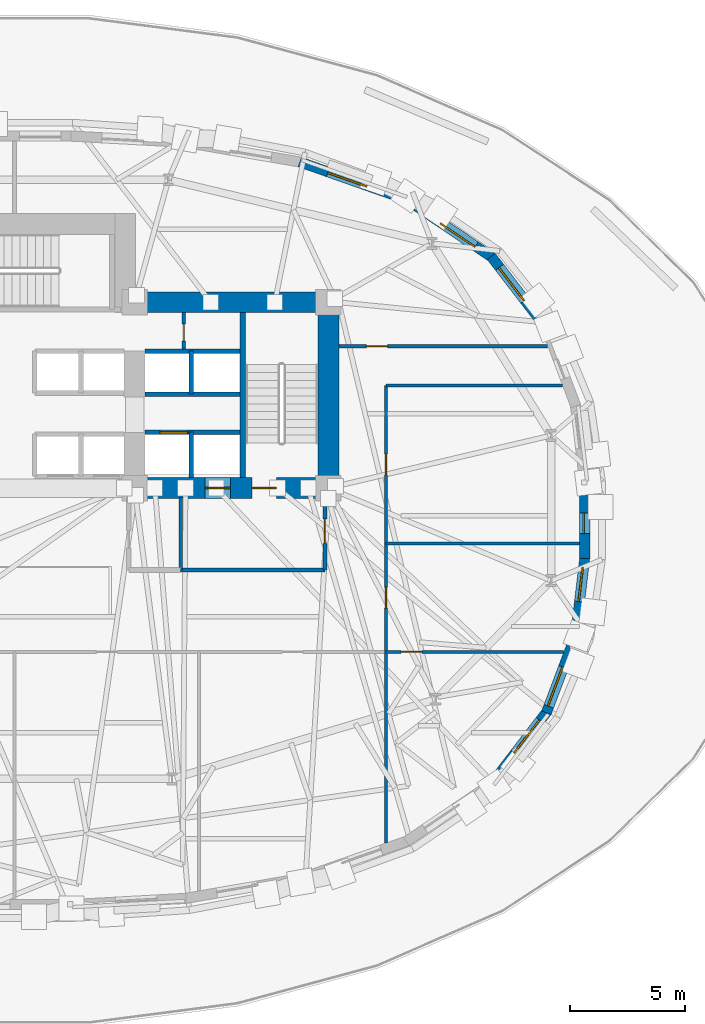
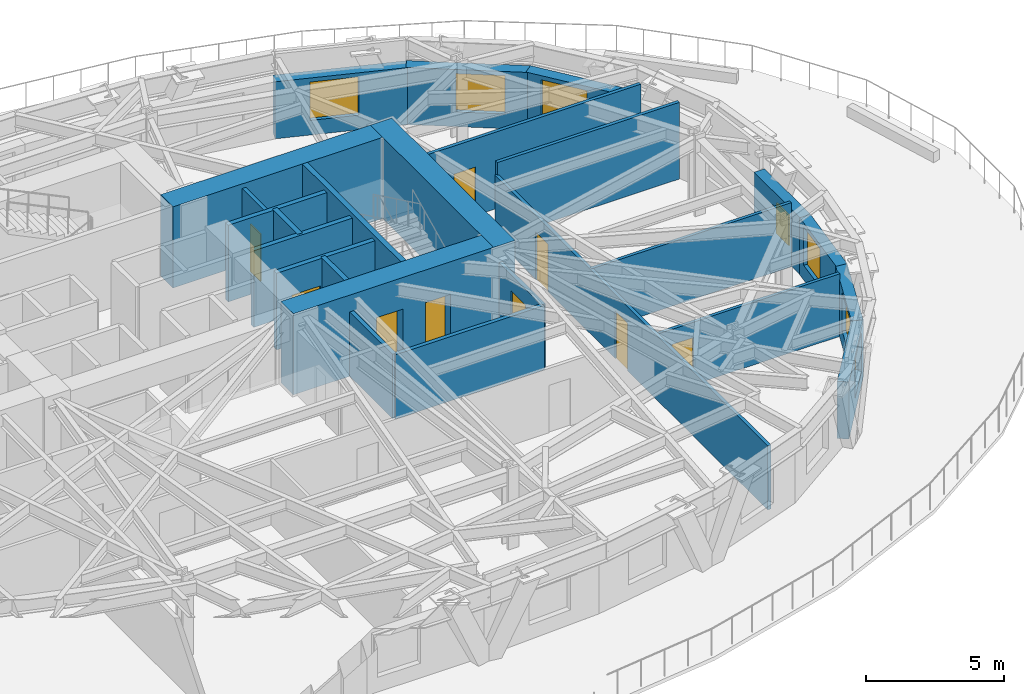
# One storey, part 8 of 14: 25 walls, 9 doors, 7 windows, 16 openings.
"""IFC4 building model written with IfcOpenShell, lengths in metres."""

import ifcopenshell
import ifcopenshell.guid

model = None  # the IFC model being written
_history = None  # IfcOwnerHistory: only IFC2X3 demands one
_inside = {}  # id of a spatial element -> (the spatial element, [elements in it])
_under = {}  # id of a project, library or spatial element -> (it, [spatial elements below it])
_declared = {}  # id of a project -> (the project, [libraries it declares])
_typed = {}  # id of a type object -> (the type object, [elements of that type])
_made_of = {}  # id of a material, layer set ... -> (it, [elements and type objects made of it])


def new_model(schema):
    """Start an empty IFC model of exactly this schema.

    Asked for "IFC4X3", IfcOpenShell would pick the latest addendum, in which some entities
    have other attributes; the version numbers below select the first issue.
    IFC2X3 requires an IfcOwnerHistory on every rooted entity: one is made here for all.
    """
    global model, _history
    if schema == "IFC4X3":
        model = ifcopenshell.file(schema_version=(4, 3, 0, 0))
    else:
        model = ifcopenshell.file(schema=schema)
    _inside.clear()
    _under.clear()
    _declared.clear()
    _typed.clear()
    _made_of.clear()
    _history = None
    if model.schema == "IFC2X3":
        org = make("IfcOrganization", Name="unknown")
        user = make(
            "IfcPersonAndOrganization",
            ThePerson=make("IfcPerson", FamilyName="unknown"),
            TheOrganization=org,
        )
        app = make(
            "IfcApplication",
            ApplicationDeveloper=org,
            Version="unknown",
            ApplicationFullName="unknown",
            ApplicationIdentifier="unknown",
        )
        _history = make(
            "IfcOwnerHistory",
            OwningUser=user,
            OwningApplication=app,
            ChangeAction="ADDED",
            CreationDate=0,
        )
    return model


def make(cls, **values):
    """One entity of the class cls with the attributes given. An attribute that is None is left unset."""
    return model.create_entity(
        cls, **{name: value for name, value in values.items() if value is not None}
    )


def rooted(cls, **values):
    """An entity with a GlobalId (a new one), such as an element, a storey or a relation."""
    return make(cls, GlobalId=ifcopenshell.guid.new(), OwnerHistory=_history, **values)


def si_unit(unit_type, name, prefix=None):
    """IfcSIUnit, for example si_unit("LENGTHUNIT", "METRE", prefix="MILLI")."""
    return make("IfcSIUnit", UnitType=unit_type, Prefix=prefix, Name=name)


def assignment(units):
    """IfcUnitAssignment: the units of a project."""
    return None if units is None else make("IfcUnitAssignment", Units=units)


def point(xyz):
    """IfcCartesianPoint."""
    return None if xyz is None else make("IfcCartesianPoint", Coordinates=xyz)


def direction(xyz):
    """IfcDirection."""
    return None if xyz is None else make("IfcDirection", DirectionRatios=xyz)


def frame(location, z_axis=None, x_axis=None):
    """IfcAxis2Placement3D, a coordinate frame: its origin and axes. An axis left out is left unset."""
    return make(
        "IfcAxis2Placement3D",
        Location=point(location),
        Axis=direction(z_axis),
        RefDirection=direction(x_axis),
    )


def frame_2d(location, x_axis=None):
    """IfcAxis2Placement2D, a coordinate frame in the plane: its origin and x axis."""
    return make(
        "IfcAxis2Placement2D", Location=point(location), RefDirection=direction(x_axis)
    )


def origin():
    """The frame at (0, 0, 0) with its axes left unset."""
    return frame((0.0, 0.0, 0.0))


def place(relative_to, where):
    """IfcLocalPlacement: puts the frame where relative to a parent placement (None: the world)."""
    return make(
        "IfcLocalPlacement", PlacementRelTo=relative_to, RelativePlacement=where
    )


def context(
    kind, dimensions, precision=None, world=None, true_north=None, identifier=None
):
    """IfcGeometricRepresentationContext, for example the 3D "Model" context."""
    return make(
        "IfcGeometricRepresentationContext",
        ContextIdentifier=identifier,
        ContextType=kind,
        CoordinateSpaceDimension=dimensions,
        Precision=precision,
        WorldCoordinateSystem=world,
        TrueNorth=true_north,
    )


def subcontext(parent, identifier, kind, view, scale=None):
    """IfcGeometricRepresentationSubContext, for example "Body" below "Model"."""
    return make(
        "IfcGeometricRepresentationSubContext",
        ContextIdentifier=identifier,
        ContextType=kind,
        ParentContext=parent,
        TargetScale=scale,
        TargetView=view,
    )


def project(units=None, contexts=None):
    """IfcProject with its units and contexts."""
    return rooted(
        "IfcProject",
        Name="project",
        RepresentationContexts=contexts,
        UnitsInContext=assignment(units),
    )


def spatial(cls, under=None, at=None, **own):
    """A site, building, storey or space (cls), placed at a placement, below another one or the project."""
    s = rooted(cls, ObjectPlacement=at, **own)
    if under is not None:
        _under.setdefault(under.id(), (under, []))[1].append(s)
    return s


def profile(cls, at=None, kind="AREA", **sizes):
    """A parametric profile (cls). Its sizes go by their IFC names, for example OverallWidth=200.0."""
    return make(cls, ProfileType=kind, Position=at, **sizes)


def rectangle(**sizes):
    """IfcRectangleProfileDef."""
    return profile("IfcRectangleProfileDef", **sizes)


def extrude(swept, where, along, depth):
    """IfcExtrudedAreaSolid: the profile swept, set in the frame where, extruded along a direction by depth."""
    return make(
        "IfcExtrudedAreaSolid",
        SweptArea=swept,
        Position=where,
        ExtrudedDirection=direction(along),
        Depth=depth,
    )


def shape(context_of_items, identifier, shape_type, items):
    """IfcShapeRepresentation: the items that make up one representation, for example the "Body"."""
    return make(
        "IfcShapeRepresentation",
        ContextOfItems=context_of_items,
        RepresentationIdentifier=identifier,
        RepresentationType=shape_type,
        Items=items,
    )


def material(Name=None, Category=None):
    """IfcMaterial."""
    return make("IfcMaterial", Name=Name, Category=Category)


def layer(
    of_material, thickness, ventilated=None, Name=None, Category=None, Priority=None
):
    """IfcMaterialLayer: one layer of a wall or slab, of a material (None: an air gap)."""
    return make(
        "IfcMaterialLayer",
        Material=of_material,
        LayerThickness=thickness,
        IsVentilated=ventilated,
        Name=Name,
        Category=Category,
        Priority=Priority,
    )


def layer_set(layers, Name=None):
    """IfcMaterialLayerSet."""
    return make("IfcMaterialLayerSet", MaterialLayers=layers, LayerSetName=Name)


def made_of(thing, what):
    """Note that an element or type object is made of a material, layer set ...; save() writes the relation."""
    if what is not None:
        _made_of.setdefault(what.id(), (what, []))[1].append(thing)
    return thing


def type_object(cls, material=None, **own):
    """A type object (cls), such as IfcWallType, which elements share."""
    return made_of(rooted(cls, **own), material)


def element(
    cls,
    number,
    at=None,
    inside=None,
    cuts=None,
    type_object=None,
    material=None,
    context=None,
    identifier="Body",
    shape_type=None,
    held_by="IfcProductDefinitionShape",
    body=None,
    shapes=None,
    **own,
):
    """One element of the class cls, such as IfcWall. Its Tag is "e" and its number.

    at: its placement. inside: the storey or other place that contains it. cuts: it is an
    opening in that element (IfcRelVoidsElement). A single representation is given by context,
    identifier, shape_type and body (its items); several are given by shapes. held_by: the class
    of the entity that holds the representations. save() writes the other relations.
    """
    e = rooted(cls, Tag="e%d" % number, ObjectPlacement=at, **own)
    if body is not None:
        shapes = [shape(context, identifier, shape_type, body)]
    if shapes is not None:
        e.Representation = make(held_by, Representations=shapes)
    if inside is not None:
        _inside.setdefault(inside.id(), (inside, []))[1].append(e)
    if cuts is not None:
        rooted(
            "IfcRelVoidsElement", RelatingBuildingElement=cuts, RelatedOpeningElement=e
        )
    if type_object is not None:
        _typed.setdefault(type_object.id(), (type_object, []))[1].append(e)
    return made_of(e, material)


def fill(opening, filler):
    """IfcRelFillsElement: the door or window that sits in an opening."""
    return rooted(
        "IfcRelFillsElement",
        RelatingOpeningElement=opening,
        RelatedBuildingElement=filler,
    )


def aggregate(whole, parts):
    """IfcRelAggregates: a whole, such as a stair, and the parts it consists of."""
    return rooted("IfcRelAggregates", RelatingObject=whole, RelatedObjects=parts)


def save(model, path):
    """Write the relations noted so far, then the file.

    IfcRelAggregates (storeys below a building ...), IfcRelContainedInSpatialStructure (elements
    in a storey), IfcRelDefinesByType, IfcRelAssociatesMaterial and IfcRelDeclares: one each for
    every whole, place, type object, material and project.
    """
    for whole, parts in _under.values():
        aggregate(whole, parts)
    for where, things in _inside.values():
        rooted(
            "IfcRelContainedInSpatialStructure",
            RelatedElements=things,
            RelatingStructure=where,
        )
    for kind, things in _typed.values():
        rooted("IfcRelDefinesByType", RelatedObjects=things, RelatingType=kind)
    for what, things in _made_of.values():
        rooted("IfcRelAssociatesMaterial", RelatedObjects=things, RelatingMaterial=what)
    for by, libraries in _declared.values():
        rooted("IfcRelDeclares", RelatingContext=by, RelatedDefinitions=libraries)
    model.write(path)


model = new_model("IFC4")

# Units and contexts
model_context = context("Model", 3, precision=1e-05, world=origin(), true_north=direction((0.0, 1.0)))
body_context = subcontext(model_context, "Body", "Model", "MODEL_VIEW")
ifc_project = project(units=[si_unit("LENGTHUNIT", "METRE"), si_unit("AREAUNIT", "SQUARE_METRE"), si_unit("VOLUMEUNIT", "CUBIC_METRE"), si_unit("PLANEANGLEUNIT", "RADIAN"), si_unit("MASSUNIT", "GRAM", prefix="KILO")], contexts=[model_context])

# Site, building, storey
site_placement = place(None, origin())
site = spatial("IfcSite", under=ifc_project, at=site_placement, CompositionType="ELEMENT")
building_placement = place(site_placement, origin())
building = spatial("IfcBuilding", under=site, at=building_placement, Name="Keldmark Tower", CompositionType="ELEMENT")
storey_placement = place(building_placement, frame((0.0, 0.0, 27.0)))
storey = spatial("IfcBuildingStorey", under=building, at=storey_placement, Name="L06", CompositionType="ELEMENT", Elevation=27.0)

# Wall, openings, doors
ifc_material_1 = material(Name="Acoustic Double-Layer Gypsum Corridor Partition", Category="gypsum")
ifc_layer_1 = layer(ifc_material_1, 0.139892578125)
ifc_layer_set_1 = layer_set([ifc_layer_1], Name="Acoustic Double-Layer Gypsum Corridor Partition")
wall_type_1 = type_object("IfcWallType", Name="Acoustic Corridor Partition 140 mm", PredefinedType="PARTITIONING", material=ifc_layer_set_1)
wall_1_placement = place(storey_placement, frame((16.10009765625, -13.977294921875, 0.0), z_axis=(0.0, 0.0, 1.0), x_axis=(0.0, 1.0, 0.0)))
wall_1 = element("IfcWall", 1, at=wall_1_placement, inside=storey, type_object=wall_type_1, Name="L06 Acoustic Corridor Partition 140 mm COR-E", PredefinedType="PARTITIONING", context=body_context, shape_type="SweptSolid", body=[
    extrude(rectangle(XDim=19.827392578125, YDim=0.139892578125, at=frame_2d((9.91357421875, 0.0))), origin(), (0.0, 0.0, 1.0), 2.841064453125),
])
opening_1_placement = place(wall_1_placement, frame((10.177001953125, 0.0, 0.0)))
opening_1 = element("IfcOpeningElement", 2, at=opening_1_placement, cuts=wall_1, Name="Opening D-IN090", PredefinedType="OPENING", context=body_context, shape_type="SweptSolid", body=[
    extrude(rectangle(XDim=0.89990234375, YDim=2.10009765625, at=frame_2d((0.449951171875, 1.050048828125))), frame((0.0, 0.079833984375, 0.0), z_axis=(0.0, -1.0, 0.0), x_axis=(1.0, 0.0, 0.0)), (0.0, 0.0, 1.0), 0.159912109375),
])
opening_2_placement = place(wall_1_placement, frame((15.9521484375, 0.0, 0.0)))
opening_2 = element("IfcOpeningElement", 3, at=opening_2_placement, cuts=wall_1, Name="Opening D-IN090", PredefinedType="OPENING", context=body_context, shape_type="SweptSolid", body=[
    extrude(rectangle(XDim=0.89990234375, YDim=2.10009765625, at=frame_2d((0.449951171875, 1.050048828125))), frame((0.0, 0.079833984375, 0.0), z_axis=(0.0, -1.0, 0.0), x_axis=(1.0, 0.0, 0.0)), (0.0, 0.0, 1.0), 0.159912109375),
])
ifc_material_2 = material(Name="Stained American White Oak Veneer", Category="wood")
door_type_1 = type_object("IfcDoorType", Name="Interior Door 900x2100", OperationType="NOTDEFINED", PredefinedType="DOOR", material=ifc_material_2)
door_1_placement = place(opening_1_placement, origin())
door_1 = element("IfcDoor", 4, at=door_1_placement, inside=storey, type_object=door_type_1, Name="L06 Interior Door 900x2100 D-ER-1-L06", OperationType="SINGLE_SWING_RIGHT", OverallHeight=2.10009765625, OverallWidth=0.89990234375, PredefinedType="DOOR", context=body_context, shape_type="SweptSolid", body=[
    extrude(rectangle(XDim=0.89990234375, YDim=2.10009765625, at=frame_2d((0.449951171875, 1.050048828125))), frame((0.0, 0.02490234375, 0.0), z_axis=(0.0, -1.0, 0.0), x_axis=(1.0, 0.0, 0.0)), (0.0, 0.0, 1.0), 0.050048828125),
])
fill(opening_1, door_1)
door_2_placement = place(opening_2_placement, origin())
door_2 = element("IfcDoor", 5, at=door_2_placement, inside=storey, type_object=door_type_1, Name="L06 Interior Door 900x2100 D-ER-2-L06", OperationType="SINGLE_SWING_LEFT", OverallHeight=2.10009765625, OverallWidth=0.89990234375, PredefinedType="DOOR", context=body_context, shape_type="SweptSolid", body=[
    extrude(rectangle(XDim=0.89990234375, YDim=2.10009765625, at=frame_2d((0.449951171875, 1.050048828125))), frame((0.0, 0.02490234375, 0.0), z_axis=(0.0, -1.0, 0.0), x_axis=(1.0, 0.0, 0.0)), (0.0, 0.0, 1.0), 0.050048828125),
])
fill(opening_2, door_2)

# Wall, opening, door
wall_2_placement = place(storey_placement, frame((14.050048828125, 7.550048828125, 0.0), z_axis=(0.0, 0.0, 1.0), x_axis=(1.0, 0.0, 0.0)))
wall_2 = element("IfcWall", 6, at=wall_2_placement, inside=storey, type_object=wall_type_1, Name="L06 Acoustic Corridor Partition 140 mm COR-EN-CAP", PredefinedType="PARTITIONING", context=body_context, shape_type="SweptSolid", body=[
    extrude(rectangle(XDim=9.052490234375, YDim=0.139892578125, at=frame_2d((4.5263671875, 0.0))), origin(), (0.0, 0.0, 1.0), 3.39990234375),
])
opening_3_placement = place(wall_2_placement, frame((1.199951171875, 0.0, 0.0)))
opening_3 = element("IfcOpeningElement", 7, at=opening_3_placement, cuts=wall_2, Name="Opening D-EX092", PredefinedType="OPENING", context=body_context, shape_type="SweptSolid", body=[
    extrude(rectangle(XDim=0.919921875, YDim=2.14990234375, at=frame_2d((0.4599609375, 1.074951171875))), frame((0.0, 0.079833984375, 0.0), z_axis=(0.0, -1.0, 0.0), x_axis=(1.0, 0.0, 0.0)), (0.0, 0.0, 1.0), 0.159912109375),
])
ifc_material_3 = material(Name="Flush American Ash Executive Office Door", Category="wood")
door_type_2 = type_object("IfcDoorType", Name="Executive Office Door 920x2150", OperationType="NOTDEFINED", PredefinedType="DOOR", material=ifc_material_3)
door_3_placement = place(opening_3_placement, origin())
door_3 = element("IfcDoor", 8, at=door_3_placement, inside=storey, type_object=door_type_2, Name="L06 Executive Office Door 920x2150 D-NRNE-L06", OperationType="SINGLE_SWING_RIGHT", OverallHeight=2.14990234375, OverallWidth=0.919921875, PredefinedType="DOOR", context=body_context, shape_type="SweptSolid", body=[
    extrude(rectangle(XDim=0.919921875, YDim=2.14990234375, at=frame_2d((0.4599609375, 1.074951171875))), frame((0.0, 0.02490234375, 0.0), z_axis=(0.0, -1.0, 0.0), x_axis=(1.0, 0.0, 0.0)), (0.0, 0.0, 1.0), 0.050048828125),
])
fill(opening_3, door_3)

# Wall
wall_3_placement = place(storey_placement, frame((16.10009765625, 5.85009765625, 0.0), z_axis=(0.0, 0.0, 1.0), x_axis=(1.0, 0.0, 0.0)))
element("IfcWall", 9, at=wall_3_placement, inside=storey, type_object=wall_type_1, Name="L06 Acoustic Corridor Partition 140 mm COR-EA-S", PredefinedType="PARTITIONING", context=body_context, shape_type="SweptSolid", body=[
    extrude(rectangle(XDim=7.641845703125, YDim=0.139892578125, at=frame_2d((3.82080078125, 0.0))), origin(), (0.0, 0.0, 1.0), 3.39990234375),
])

# Wall, opening, door
ifc_material_4 = material(Name="Acoustic Gypsum Board Interior Partition", Category="gypsum")
ifc_layer_2 = layer(ifc_material_4, 0.1298828125)
ifc_layer_set_2 = layer_set([ifc_layer_2], Name="Acoustic Gypsum Board Interior Partition")
wall_type_2 = type_object("IfcWallType", Name="Interior Partition 130 mm", PredefinedType="PARTITIONING", material=ifc_layer_set_2)
wall_4_placement = place(storey_placement, frame((16.10009765625, -5.699951171875, 0.0), z_axis=(0.0, 0.0, 1.0), x_axis=(1.0, 0.0, 0.0)))
wall_4 = element("IfcWall", 10, at=wall_4_placement, inside=storey, type_object=wall_type_2, Name="L06 Interior Partition 130 mm E-CAP-S", PredefinedType="PARTITIONING", context=body_context, shape_type="SweptSolid", body=[
    extrude(rectangle(XDim=7.6982421875, YDim=0.1298828125, at=frame_2d((3.84912109375, 0.0))), origin(), (0.0, 0.0, 1.0), 2.779052734375),
])
opening_4_placement = place(wall_4_placement, frame((0.64990234375, 0.0, 0.0)))
opening_4 = element("IfcOpeningElement", 11, at=opening_4_placement, cuts=wall_4, Name="Opening D-IN090", PredefinedType="OPENING", context=body_context, shape_type="SweptSolid", body=[
    extrude(rectangle(XDim=0.89990234375, YDim=2.10009765625, at=frame_2d((0.449951171875, 1.050048828125))), frame((0.0, 0.074951171875, 0.0), z_axis=(0.0, -1.0, 0.0), x_axis=(1.0, 0.0, 0.0)), (0.0, 0.0, 1.0), 0.14990234375),
])
door_4_placement = place(opening_4_placement, origin())
door_4 = element("IfcDoor", 12, at=door_4_placement, inside=storey, type_object=door_type_1, Name="L06 Interior Door 900x2100 D-ERSE-L06", OperationType="SINGLE_SWING_RIGHT", OverallHeight=2.10009765625, OverallWidth=0.89990234375, PredefinedType="DOOR", context=body_context, shape_type="SweptSolid", body=[
    extrude(rectangle(XDim=0.89990234375, YDim=2.10009765625, at=frame_2d((0.449951171875, 1.050048828125))), frame((0.0, 0.02490234375, 0.0), z_axis=(0.0, -1.0, 0.0), x_axis=(1.0, 0.0, 0.0)), (0.0, 0.0, 1.0), 0.050048828125),
])
fill(opening_4, door_4)

# Walls
wall_5_placement = place(storey_placement, frame((16.10009765625, -1.0, 0.0), z_axis=(0.0, 0.0, 1.0), x_axis=(1.0, 0.0, 0.0)))
element("IfcWall", 13, at=wall_5_placement, inside=storey, type_object=wall_type_2, Name="L06 Interior Partition 130 mm E-DIV-1", PredefinedType="PARTITIONING", context=body_context, shape_type="SweptSolid", body=[
    extrude(rectangle(XDim=8.382080078125, YDim=0.1298828125, at=frame_2d((4.19091796875, 0.0))), origin(), (0.0, 0.0, 1.0), 2.841064453125),
])
ifc_material_5 = material(Name="Concrete C70/85", Category="concrete")
ifc_layer_3 = layer(ifc_material_5, 0.89990234375)
ifc_layer_set_3 = layer_set([ifc_layer_3], Name="Concrete C70/85")
wall_type_3 = type_object("IfcWallType", Name="Lower Core Shear Wall 900 mm", PredefinedType="SHEAR", material=ifc_layer_set_3)
wall_6_placement = place(storey_placement, frame((13.60009765625, 0.949951171875, 0.0), z_axis=(0.0, 0.0, 1.0), x_axis=(0.0, 1.0, 0.0)))
element("IfcWall", 14, at=wall_6_placement, inside=storey, type_object=wall_type_3, Name="L06 East Core Outer Shear Wall", PredefinedType="SHEAR", context=body_context, shape_type="SweptSolid", body=[
    extrude(rectangle(XDim=8.949951171875, YDim=0.89990234375, at=frame_2d((4.47509765625, 0.0))), origin(), (0.0, 0.0, 1.0), 3.60009765625),
])
wall_7_placement = place(storey_placement, frame((4.35009765625, 9.449951171875, 0.0), z_axis=(0.0, 0.0, 1.0), x_axis=(1.0, 0.0, 0.0)))
element("IfcWall", 15, at=wall_7_placement, inside=storey, type_object=wall_type_3, Name="L06 East Core North Shear Wall", PredefinedType="SHEAR", context=body_context, shape_type="SweptSolid", body=[
    extrude(rectangle(XDim=9.699951171875, YDim=0.89990234375, at=frame_2d((4.85009765625, 0.0))), origin(), (0.0, 0.0, 1.0), 3.60009765625),
])

# Wall, openings, doors
wall_8_placement = place(storey_placement, frame((14.050048828125, 1.39990234375, 0.0), z_axis=(0.0, 0.0, 1.0), x_axis=(-1.0, 0.0, 0.0)))
wall_8 = element("IfcWall", 16, at=wall_8_placement, inside=storey, type_object=wall_type_3, Name="L06 East Core South Shear Wall", PredefinedType="SHEAR", context=body_context, shape_type="SweptSolid", body=[
    extrude(rectangle(XDim=9.300048828125, YDim=0.89990234375, at=frame_2d((4.64990234375, 0.0))), origin(), (0.0, 0.0, 1.0), 3.60009765625),
])
opening_5_placement = place(wall_8_placement, frame((2.699951171875, 0.0, 0.0)))
opening_5 = element("IfcOpeningElement", 17, at=opening_5_placement, cuts=wall_8, Name="Opening D-ST105", PredefinedType="OPENING", context=body_context, shape_type="SweptSolid", body=[
    extrude(rectangle(XDim=1.050048828125, YDim=2.14990234375, at=frame_2d((0.52490234375, 1.074951171875))), frame((0.0, 0.4599609375, 0.0), z_axis=(0.0, -1.0, 0.0), x_axis=(1.0, 0.0, 0.0)), (0.0, 0.0, 1.0), 0.919921875),
])
opening_6_placement = place(wall_8_placement, frame((4.699951171875, 0.0, 0.0)))
opening_6 = element("IfcOpeningElement", 18, at=opening_6_placement, cuts=wall_8, Name="Opening LD-110", PredefinedType="OPENING", context=body_context, shape_type="SweptSolid", body=[
    extrude(rectangle(XDim=1.10009765625, YDim=2.199951171875, at=frame_2d((0.550048828125, 1.10009765625))), frame((0.0, 0.4599609375, 0.0), z_axis=(0.0, -1.0, 0.0), x_axis=(1.0, 0.0, 0.0)), (0.0, 0.0, 1.0), 0.919921875),
])
ifc_material_6 = material(Name="Brushed Bronze Hoistway Sliding Leaf", Category="metal")
door_type_3 = type_object("IfcDoorType", Name="Lift Landing Sliding Door 1100x2200", OperationType="SLIDING_TO_LEFT", PredefinedType="DOOR", material=ifc_material_6)
door_5_placement = place(opening_6_placement, origin())
door_5 = element("IfcDoor", 19, at=door_5_placement, inside=storey, type_object=door_type_3, Name="L06 Lift Landing Sliding Door 1100x2200 LD-EL-FS2-L06", OperationType="SLIDING_TO_LEFT", OverallHeight=2.199951171875, OverallWidth=1.10009765625, PredefinedType="DOOR", context=body_context, shape_type="SweptSolid", body=[
    extrude(rectangle(XDim=1.10009765625, YDim=2.199951171875, at=frame_2d((0.550048828125, 1.10009765625))), frame((0.0, 0.02490234375, 0.0), z_axis=(0.0, -1.0, 0.0), x_axis=(1.0, 0.0, 0.0)), (0.0, 0.0, 1.0), 0.050048828125),
])
fill(opening_6, door_5)
ifc_material_7 = material(Name="Hollow Metal Fire-Rated Door Assembly", Category="metal")
door_type_4 = type_object("IfcDoorType", Name="Stair Fire Door 1050x2150", OperationType="NOTDEFINED", PredefinedType="DOOR", material=ifc_material_7)
door_6_placement = place(opening_5_placement, origin())
door_6 = element("IfcDoor", 20, at=door_6_placement, inside=storey, type_object=door_type_4, Name="L06 Stair Fire Door 1050x2150 D-ST2-L06", OperationType="SINGLE_SWING_LEFT", OverallHeight=2.14990234375, OverallWidth=1.050048828125, PredefinedType="DOOR", context=body_context, shape_type="SweptSolid", body=[
    extrude(rectangle(XDim=1.050048828125, YDim=2.14990234375, at=frame_2d((0.52490234375, 1.074951171875))), frame((0.0, 0.02490234375, 0.0), z_axis=(0.0, -1.0, 0.0), x_axis=(1.0, 0.0, 0.0)), (0.0, 0.0, 1.0), 0.050048828125),
])
fill(opening_5, door_6)

# Walls
ifc_material_8 = material(Name="Type X Fire-Rated Gypsum Partition Assembly", Category="gypsum")
ifc_layer_4 = layer(ifc_material_8, 0.1650390625)
ifc_layer_set_4 = layer_set([ifc_layer_4], Name="Type X Fire-Rated Gypsum Partition Assembly")
wall_type_4 = type_object("IfcWallType", Name="Rated Partition 165 mm", PredefinedType="PARTITIONING", material=ifc_layer_set_4)
wall_9_placement = place(storey_placement, frame((7.199951171875, -2.14990234375, 0.0), z_axis=(0.0, 0.0, 1.0), x_axis=(1.0, 0.0, 0.0)))
element("IfcWall", 21, at=wall_9_placement, inside=storey, type_object=wall_type_4, Name="L06 Rated Partition 165 mm FSAE-E-S", PredefinedType="PARTITIONING", context=body_context, shape_type="SweptSolid", body=[
    extrude(rectangle(XDim=6.25, YDim=0.1650390625, at=frame_2d((3.125, 0.0))), origin(), (0.0, 0.0, 1.0), 2.85302734375),
])
wall_10_placement = place(storey_placement, frame((7.199951171875, -2.14990234375, 0.0), z_axis=(0.0, 0.0, 1.0), x_axis=(0.0, 1.0, 0.0)))
element("IfcWall", 22, at=wall_10_placement, inside=storey, type_object=wall_type_4, Name="L06 Rated Partition 165 mm FSAE-E-W", PredefinedType="PARTITIONING", context=body_context, shape_type="SweptSolid", body=[
    extrude(rectangle(XDim=3.14990234375, YDim=0.1650390625, at=frame_2d((1.574951171875, 0.0))), origin(), (0.0, 0.0, 1.0), 2.85302734375),
])

# Wall, opening, door
wall_11_placement = place(storey_placement, frame((13.449951171875, -2.14990234375, 0.0), z_axis=(0.0, 0.0, 1.0), x_axis=(0.0, 1.0, 0.0)))
wall_11 = element("IfcWall", 23, at=wall_11_placement, inside=storey, type_object=wall_type_4, Name="L06 Rated Partition 165 mm FSAE-E-E", PredefinedType="PARTITIONING", context=body_context, shape_type="SweptSolid", body=[
    extrude(rectangle(XDim=3.14990234375, YDim=0.1650390625, at=frame_2d((1.574951171875, 0.0))), origin(), (0.0, 0.0, 1.0), 2.85302734375),
])
opening_7_placement = place(wall_11_placement, frame((1.14990234375, 0.0, 0.0)))
opening_7 = element("IfcOpeningElement", 24, at=opening_7_placement, cuts=wall_11, Name="Opening D-FL105", PredefinedType="OPENING", context=body_context, shape_type="SweptSolid", body=[
    extrude(rectangle(XDim=1.050048828125, YDim=2.14990234375, at=frame_2d((0.52490234375, 1.074951171875))), frame((0.0, 0.092529296875, 0.0), z_axis=(0.0, -1.0, 0.0), x_axis=(1.0, 0.0, 0.0)), (0.0, 0.0, 1.0), 0.18505859375),
])
ifc_material_9 = material(Name="Fire-Rated Mineral-Core Door and Vision Lite", Category="metal")
door_type_5 = type_object("IfcDoorType", Name="Fire Lobby Door 1050x2150", OperationType="NOTDEFINED", PredefinedType="DOOR", material=ifc_material_9)
door_7_placement = place(opening_7_placement, origin())
door_7 = element("IfcDoor", 25, at=door_7_placement, inside=storey, type_object=door_type_5, Name="L06 Fire Lobby Door 1050x2150 D-FSAEE-OUT-L06", OperationType="SINGLE_SWING_LEFT", OverallHeight=2.14990234375, OverallWidth=1.050048828125, PredefinedType="DOOR", context=body_context, shape_type="SweptSolid", body=[
    extrude(rectangle(XDim=1.050048828125, YDim=2.14990234375, at=frame_2d((0.52490234375, 1.074951171875))), frame((0.0, 0.02490234375, 0.0), z_axis=(0.0, -1.0, 0.0), x_axis=(1.0, 0.0, 0.0)), (0.0, 0.0, 1.0), 0.050048828125),
])
fill(opening_7, door_7)

wall_12_placement = place(storey_placement, frame((7.330078125, 7.419921875, 0.0), z_axis=(0.0, 0.0, 1.0), x_axis=(0.0, 1.0, 0.0)))
wall_12 = element("IfcWall", 26, at=wall_12_placement, inside=storey, type_object=wall_type_4, Name="L06 Rated Partition 165 mm CS-NE-W", PredefinedType="PARTITIONING", context=body_context, shape_type="SweptSolid", body=[
    extrude(rectangle(XDim=1.580078125, YDim=0.1650390625, at=frame_2d((0.7900390625, 0.0))), origin(), (0.0, 0.0, 1.0), 3.39990234375),
])
opening_8_placement = place(wall_12_placement, frame((0.35009765625, 0.0, 0.0)))
opening_8 = element("IfcOpeningElement", 27, at=opening_8_placement, cuts=wall_12, Name="Opening D-RS075", PredefinedType="OPENING", context=body_context, shape_type="SweptSolid", body=[
    extrude(rectangle(XDim=0.75, YDim=2.10009765625, at=frame_2d((0.375, 1.050048828125))), frame((0.0, 0.092529296875, 0.0), z_axis=(0.0, -1.0, 0.0), x_axis=(1.0, 0.0, 0.0)), (0.0, 0.0, 1.0), 0.18505859375),
])
ifc_material_10 = material(Name="Galvanized Fire-Rated Access Leaf", Category="metal")
door_type_6 = type_object("IfcDoorType", Name="Riser Access Door 750x2100", OperationType="NOTDEFINED", PredefinedType="DOOR", material=ifc_material_10)
door_8_placement = place(opening_8_placement, origin())
door_8 = element("IfcDoor", 28, at=door_8_placement, inside=storey, type_object=door_type_6, Name="L06 Riser Access Door 750x2100 D-CSNE1-L06", OperationType="SINGLE_SWING_LEFT", OverallHeight=2.10009765625, OverallWidth=0.75, PredefinedType="DOOR", context=body_context, shape_type="SweptSolid", body=[
    extrude(rectangle(XDim=0.75, YDim=2.10009765625, at=frame_2d((0.375, 1.050048828125))), frame((0.0, 0.02490234375, 0.0), z_axis=(0.0, -1.0, 0.0), x_axis=(1.0, 0.0, 0.0)), (0.0, 0.0, 1.0), 0.050048828125),
])
fill(opening_8, door_8)

ifc_material_11 = material(Name="Fire-Resistant Type X Gypsum Shaftliner Coreboard", Category="gypsum")
ifc_layer_5 = layer(ifc_material_11, 0.199951171875)
ifc_layer_set_5 = layer_set([ifc_layer_5], Name="Fire-Resistant Type X Gypsum Shaftliner Coreboard")
wall_type_5 = type_object("IfcWallType", Name="Shaft Wall 200 mm", PredefinedType="SOLIDWALL", material=ifc_layer_set_5)
wall_13_placement = place(storey_placement, frame((5.64990234375, 3.820068359375, 0.0), z_axis=(0.0, 0.0, 1.0), x_axis=(1.0, 0.0, 0.0)))
wall_13 = element("IfcWall", 29, at=wall_13_placement, inside=storey, type_object=wall_type_5, Name="L06 Shaft Wall 200 mm HW-E-S", PredefinedType="SOLIDWALL", context=body_context, shape_type="SweptSolid", body=[
    extrude(rectangle(XDim=4.130126953125, YDim=0.199951171875, at=frame_2d((2.06494140625, 0.0))), origin(), (0.0, 0.0, 1.0), 3.39990234375),
])
opening_9_placement = place(wall_13_placement, frame((0.64990234375, 0.0, 0.0)))
opening_9 = element("IfcOpeningElement", 30, at=opening_9_placement, cuts=wall_13, Name="Opening LD-120", PredefinedType="OPENING", context=body_context, shape_type="SweptSolid", body=[
    extrude(rectangle(XDim=1.199951171875, YDim=2.199951171875, at=frame_2d((0.60009765625, 1.10009765625))), frame((0.0, 0.10986328125, 0.0), z_axis=(0.0, -1.0, 0.0), x_axis=(1.0, 0.0, 0.0)), (0.0, 0.0, 1.0), 0.219970703125),
])
ifc_material_12 = material(Name="Heavy-Duty Brushed Metal Hoistway Sliding Leaf", Category="metal")
door_type_7 = type_object("IfcDoorType", Name="Service Lift Sliding Door 1200x2200", OperationType="SLIDING_TO_RIGHT", PredefinedType="DOOR", material=ifc_material_12)
door_9_placement = place(opening_9_placement, origin())
door_9 = element("IfcDoor", 31, at=door_9_placement, inside=storey, type_object=door_type_7, Name="L06 Service Lift Sliding Door 1200x2200 LD-EL-SV1-L06", OperationType="SLIDING_TO_RIGHT", OverallHeight=2.199951171875, OverallWidth=1.199951171875, PredefinedType="DOOR", context=body_context, shape_type="SweptSolid", body=[
    extrude(rectangle(XDim=1.199951171875, YDim=2.199951171875, at=frame_2d((0.60009765625, 1.10009765625))), frame((0.0, 0.02490234375, 0.0), z_axis=(0.0, -1.0, 0.0), x_axis=(1.0, 0.0, 0.0)), (0.0, 0.0, 1.0), 0.050048828125),
])
fill(opening_9, door_9)

# Walls
wall_14_placement = place(storey_placement, frame((7.64990234375, 1.85009765625, 0.0), z_axis=(0.0, 0.0, 1.0), x_axis=(0.0, 1.0, 0.0)))
element("IfcWall", 32, at=wall_14_placement, inside=storey, type_object=wall_type_5, Name="L06 Shaft Wall 200 mm HW-E-M", PredefinedType="SOLIDWALL", context=body_context, shape_type="SweptSolid", body=[
    extrude(rectangle(XDim=1.969970703125, YDim=0.199951171875, at=frame_2d((0.98486328125, 0.0))), origin(), (0.0, 0.0, 1.0), 3.39990234375),
])
for number, where, z_axis, x_axis, name in (
    (33, (5.64990234375, 5.469970703125, 0.0), (0.0, 0.0, 1.0), (1.0, 0.0, 0.0), "L06 Shaft Wall 200 mm HW-E-N"),
    (34, (5.64990234375, 7.330078125, 0.0), (0.0, 0.0, 1.0), (1.0, 0.0, 0.0), "L06 Shaft Wall 200 mm HW-E-TOP"),
):
    element("IfcWall", number, at=place(storey_placement, frame(where, z_axis=z_axis, x_axis=x_axis)), inside=storey, type_object=wall_type_5, Name=name, PredefinedType="SOLIDWALL", context=body_context, shape_type="SweptSolid", body=[
        extrude(rectangle(XDim=4.130126953125, YDim=0.199951171875, at=frame_2d((2.06494140625, 0.0))), origin(), (0.0, 0.0, 1.0), 3.39990234375),
    ])
wall_15_placement = place(storey_placement, frame((7.64990234375, 5.469970703125, 0.0), z_axis=(0.0, 0.0, 1.0), x_axis=(0.0, 1.0, 0.0)))
element("IfcWall", 35, at=wall_15_placement, inside=storey, type_object=wall_type_5, Name="L06 Shaft Wall 200 mm HW-E-NM", PredefinedType="SOLIDWALL", context=body_context, shape_type="SweptSolid", body=[
    extrude(rectangle(XDim=1.860107421875, YDim=0.199951171875, at=frame_2d((0.93017578125, 0.0))), origin(), (0.0, 0.0, 1.0), 3.39990234375),
])
ifc_material_13 = material(Name="Concrete C50/60", Category="concrete")
ifc_layer_6 = layer(ifc_material_13, 0.219970703125)
ifc_layer_set_6 = layer_set([ifc_layer_6], Name="Concrete C50/60")
wall_type_6 = type_object("IfcWallType", Name="Stair Core Shear Wall 220 mm", PredefinedType="SHEAR", material=ifc_layer_set_6)
wall_16_placement = place(storey_placement, frame((9.889892578125, 1.85009765625, 0.0), z_axis=(0.0, 0.0, 1.0), x_axis=(0.0, 1.0, 0.0)))
element("IfcWall", 36, at=wall_16_placement, inside=storey, type_object=wall_type_6, Name="L06 East Stair Core Shear Wall", PredefinedType="SHEAR", context=body_context, shape_type="SweptSolid", body=[
    extrude(rectangle(XDim=7.14990234375, YDim=0.219970703125, at=frame_2d((3.574951171875, 0.0))), origin(), (0.0, 0.0, 1.0), 3.60009765625),
])

# Wall, opening, window
ifc_material_14 = material(Name="Ironspot Manganese Brick and Kasota Buff Limestone Spandrel Assembly", Category="masonry")
ifc_layer_7 = layer(ifc_material_14, 0.43994140625)
ifc_layer_set_7 = layer_set([ifc_layer_7], Name="Ironspot Manganese Brick and Kasota Buff Limestone Spandrel Assembly")
wall_type_7 = type_object("IfcWallType", Name="Tower Brick Pier and Spandrel Wall 440 mm", PredefinedType="STANDARD", material=ifc_layer_set_7)
wall_17_placement = place(storey_placement, frame((20.65771484375, 11.439208984375, 0.0), z_axis=(0.0, 0.0, 1.0), x_axis=(0.608803527611, -0.793321035123, 0.0)))
wall_17 = element("IfcWall", 37, at=wall_17_placement, inside=storey, type_object=wall_type_7, Name="L06 Exterior Brick and Spandrel Wall 03", PredefinedType="STANDARD", context=body_context, shape_type="SweptSolid", body=[
    extrude(rectangle(XDim=3.981201171875, YDim=0.43994140625, at=frame_2d((1.99072265625, 0.0))), origin(), (0.0, 0.0, 1.0), 2.532958984375),
])
opening_10_placement = place(wall_17_placement, frame((0.595947265625, 0.0, 0.64990234375)))
opening_10 = element("IfcOpeningElement", 38, at=opening_10_placement, cuts=wall_17, Name="Opening W-02", PredefinedType="OPENING", context=body_context, shape_type="SweptSolid", body=[
    extrude(rectangle(XDim=1.800048828125, YDim=1.699951171875, at=frame_2d((0.89990234375, 0.85009765625))), frame((0.0, 0.22998046875, 0.0), z_axis=(0.0, -1.0, 0.0), x_axis=(1.0, 0.0, 0.0)), (0.0, 0.0, 1.0), 0.4599609375),
])
ifc_material_15 = material(Name="Thermally Broken Anodized Aluminum and Triple Low-E Argon Glazing", Category="aluminium")
window_type_1 = type_object("IfcWindowType", Name="Office Deep-Set Triple Window 1800x1700", PartitioningType="TRIPLE_PANEL_VERTICAL", PredefinedType="WINDOW", material=ifc_material_15)
window_1_placement = place(opening_10_placement, origin())
window_1 = element("IfcWindow", 39, at=window_1_placement, inside=storey, type_object=window_type_1, Name="L06 Deep-Set Window 03", OverallHeight=1.699951171875, OverallWidth=1.800048828125, PartitioningType="SINGLE_PANEL", PredefinedType="WINDOW", context=body_context, shape_type="SweptSolid", body=[
    extrude(rectangle(XDim=1.800048828125, YDim=1.699951171875, at=frame_2d((0.89990234375, 0.85009765625))), frame((0.0, -0.010009765625, 0.0), z_axis=(0.0, -1.0, 0.0), x_axis=(1.0, 0.0, 0.0)), (0.0, 0.0, 1.0), 0.06005859375),
])
fill(opening_10, window_1)

wall_18_placement = place(storey_placement, frame((16.97314453125, 13.91943359375, 0.0), z_axis=(0.0, 0.0, 1.0), x_axis=(0.828124546302, -0.560544142608, 0.0)))
wall_18 = element("IfcWall", 40, at=wall_18_placement, inside=storey, type_object=wall_type_7, Name="L06 Exterior Brick and Spandrel Wall 04", PredefinedType="STANDARD", context=body_context, shape_type="SweptSolid", body=[
    extrude(rectangle(XDim=4.510986328125, YDim=0.43994140625, at=frame_2d((2.25537109375, 0.0))), origin(), (0.0, 0.0, 1.0), 2.532958984375),
])
opening_11_placement = place(wall_18_placement, frame((1.822509765625, 0.0, 0.64990234375)))
opening_11 = element("IfcOpeningElement", 41, at=opening_11_placement, cuts=wall_18, Name="Opening W-02", PredefinedType="OPENING", context=body_context, shape_type="SweptSolid", body=[
    extrude(rectangle(XDim=1.800048828125, YDim=1.699951171875, at=frame_2d((0.89990234375, 0.85009765625))), frame((0.0, 0.22998046875, 0.0), z_axis=(0.0, -1.0, 0.0), x_axis=(1.0, 0.0, 0.0)), (0.0, 0.0, 1.0), 0.4599609375),
])
window_2_placement = place(opening_11_placement, origin())
window_2 = element("IfcWindow", 42, at=window_2_placement, inside=storey, type_object=window_type_1, Name="L06 Deep-Set Window 04", OverallHeight=1.699951171875, OverallWidth=1.800048828125, PartitioningType="SINGLE_PANEL", PredefinedType="WINDOW", context=body_context, shape_type="SweptSolid", body=[
    extrude(rectangle(XDim=1.800048828125, YDim=1.699951171875, at=frame_2d((0.89990234375, 0.85009765625))), frame((0.0, -0.010009765625, 0.0), z_axis=(0.0, -1.0, 0.0), x_axis=(1.0, 0.0, 0.0)), (0.0, 0.0, 1.0), 0.06005859375),
])
fill(opening_11, window_2)

wall_19_placement = place(storey_placement, frame((12.357666015625, 15.53515625, 0.0), z_axis=(0.0, 0.0, 1.0), x_axis=(0.94336246541, -0.331763860082, 0.0)))
wall_19 = element("IfcWall", 43, at=wall_19_placement, inside=storey, type_object=wall_type_7, Name="L06 Exterior Brick and Spandrel Wall 05", PredefinedType="STANDARD", context=body_context, shape_type="SweptSolid", body=[
    extrude(rectangle(XDim=4.94580078125, YDim=0.43994140625, at=frame_2d((2.472900390625, 0.0))), origin(), (0.0, 0.0, 1.0), 2.529052734375),
])
opening_12_placement = place(wall_19_placement, frame((1.29833984375, 0.0, 0.64990234375)))
opening_12 = element("IfcOpeningElement", 44, at=opening_12_placement, cuts=wall_19, Name="Opening W-02", PredefinedType="OPENING", context=body_context, shape_type="SweptSolid", body=[
    extrude(rectangle(XDim=1.800048828125, YDim=1.699951171875, at=frame_2d((0.89990234375, 0.85009765625))), frame((0.0, 0.22998046875, 0.0), z_axis=(0.0, -1.0, 0.0), x_axis=(1.0, 0.0, 0.0)), (0.0, 0.0, 1.0), 0.4599609375),
])
window_3_placement = place(opening_12_placement, origin())
window_3 = element("IfcWindow", 45, at=window_3_placement, inside=storey, type_object=window_type_1, Name="L06 Deep-Set Window 05", OverallHeight=1.699951171875, OverallWidth=1.800048828125, PartitioningType="SINGLE_PANEL", PredefinedType="WINDOW", context=body_context, shape_type="SweptSolid", body=[
    extrude(rectangle(XDim=1.800048828125, YDim=1.699951171875, at=frame_2d((0.89990234375, 0.85009765625))), frame((0.0, -0.010009765625, 0.0), z_axis=(0.0, -1.0, 0.0), x_axis=(1.0, 0.0, 0.0)), (0.0, 0.0, 1.0), 0.06005859375),
])
fill(opening_12, window_3)

wall_20_placement = place(storey_placement, frame((23.08154296875, -8.28076171875, 0.0), z_axis=(0.0, 0.0, 1.0), x_axis=(-0.608803527611, -0.793321035123, 0.0)))
wall_20 = element("IfcWall", 46, at=wall_20_placement, inside=storey, type_object=wall_type_7, Name="L06 Exterior Brick and Spandrel Wall 29", PredefinedType="STANDARD", context=body_context, shape_type="SweptSolid", body=[
    extrude(rectangle(XDim=3.981201171875, YDim=0.43994140625, at=frame_2d((1.99072265625, 0.0))), origin(), (0.0, 0.0, 1.0), 2.532958984375),
])
opening_13_placement = place(wall_20_placement, frame((0.496826171875, 0.0, 0.64990234375)))
opening_13 = element("IfcOpeningElement", 47, at=opening_13_placement, cuts=wall_20, Name="Opening W-02", PredefinedType="OPENING", context=body_context, shape_type="SweptSolid", body=[
    extrude(rectangle(XDim=1.800048828125, YDim=1.699951171875, at=frame_2d((0.89990234375, 0.85009765625))), frame((0.0, 0.22998046875, 0.0), z_axis=(0.0, -1.0, 0.0), x_axis=(1.0, 0.0, 0.0)), (0.0, 0.0, 1.0), 0.4599609375),
])
window_4_placement = place(opening_13_placement, origin())
window_4 = element("IfcWindow", 48, at=window_4_placement, inside=storey, type_object=window_type_1, Name="L06 Deep-Set Window 29", OverallHeight=1.699951171875, OverallWidth=1.800048828125, PartitioningType="SINGLE_PANEL", PredefinedType="WINDOW", context=body_context, shape_type="SweptSolid", body=[
    extrude(rectangle(XDim=1.800048828125, YDim=1.699951171875, at=frame_2d((0.89990234375, 0.85009765625))), frame((0.0, -0.010009765625, 0.0), z_axis=(0.0, -1.0, 0.0), x_axis=(1.0, 0.0, 0.0)), (0.0, 0.0, 1.0), 0.06005859375),
])
fill(opening_13, window_4)

wall_21_placement = place(storey_placement, frame((24.320556640625, -4.958984375, 0.0), z_axis=(0.0, 0.0, 1.0), x_axis=(-0.351960996761, -0.936014666957, 0.0)))
wall_21 = element("IfcWall", 49, at=wall_21_placement, inside=storey, type_object=wall_type_7, Name="L06 Exterior Brick and Spandrel Wall 30", PredefinedType="STANDARD", context=body_context, shape_type="SweptSolid", body=[
    extrude(rectangle(XDim=3.609130859375, YDim=0.43994140625, at=frame_2d((1.8046875, 0.0))), origin(), (0.0, 0.0, 1.0), 2.532958984375),
])
opening_14_placement = place(wall_21_placement, frame((1.51220703125, 0.0, 0.64990234375)))
opening_14 = element("IfcOpeningElement", 50, at=opening_14_placement, cuts=wall_21, Name="Opening W-02", PredefinedType="OPENING", context=body_context, shape_type="SweptSolid", body=[
    extrude(rectangle(XDim=1.800048828125, YDim=1.699951171875, at=frame_2d((0.89990234375, 0.85009765625))), frame((0.0, 0.22998046875, 0.0), z_axis=(0.0, -1.0, 0.0), x_axis=(1.0, 0.0, 0.0)), (0.0, 0.0, 1.0), 0.4599609375),
])
window_5_placement = place(opening_14_placement, origin())
window_5 = element("IfcWindow", 51, at=window_5_placement, inside=storey, type_object=window_type_1, Name="L06 Deep-Set Window 30", OverallHeight=1.699951171875, OverallWidth=1.800048828125, PartitioningType="SINGLE_PANEL", PredefinedType="WINDOW", context=body_context, shape_type="SweptSolid", body=[
    extrude(rectangle(XDim=1.800048828125, YDim=1.699951171875, at=frame_2d((0.89990234375, 0.85009765625))), frame((0.0, -0.010009765625, 0.0), z_axis=(0.0, -1.0, 0.0), x_axis=(1.0, 0.0, 0.0)), (0.0, 0.0, 1.0), 0.06005859375),
])
fill(opening_14, window_5)

wall_22_placement = place(storey_placement, frame((24.711669921875, -1.635986328125, 0.0), z_axis=(0.0, 0.0, 1.0), x_axis=(-0.118754274869, -0.992923673905, 0.0)))
wall_22 = element("IfcWall", 52, at=wall_22_placement, inside=storey, type_object=wall_type_7, Name="L06 Exterior Brick and Spandrel Wall 31", PredefinedType="STANDARD", context=body_context, shape_type="SweptSolid", body=[
    extrude(rectangle(XDim=3.398193359375, YDim=0.43994140625, at=frame_2d((1.69921875, 0.0))), origin(), (0.0, 0.0, 1.0), 2.532958984375),
])
opening_15_placement = place(wall_22_placement, frame((0.39990234375, 0.0, 0.64990234375)))
opening_15 = element("IfcOpeningElement", 53, at=opening_15_placement, cuts=wall_22, Name="Opening W-03", PredefinedType="OPENING", context=body_context, shape_type="SweptSolid", body=[
    extrude(rectangle(XDim=1.5, YDim=1.699951171875, at=frame_2d((0.75, 0.85009765625))), frame((0.0, 0.22998046875, 0.0), z_axis=(0.0, -1.0, 0.0), x_axis=(1.0, 0.0, 0.0)), (0.0, 0.0, 1.0), 0.4599609375),
])
ifc_material_16 = material(Name="Thermally Broken Anodized Aluminum and Triple Low-E Argon Glazing", Category="aluminium")
window_type_2 = type_object("IfcWindowType", Name="Office Corner Deep-Set Window 1500x1700", PartitioningType="DOUBLE_PANEL_VERTICAL", PredefinedType="WINDOW", material=ifc_material_16)
window_6_placement = place(opening_15_placement, origin())
window_6 = element("IfcWindow", 54, at=window_6_placement, inside=storey, type_object=window_type_2, Name="L06 Deep-Set Window 31", OverallHeight=1.699951171875, OverallWidth=1.5, PartitioningType="SINGLE_PANEL", PredefinedType="WINDOW", context=body_context, shape_type="SweptSolid", body=[
    extrude(rectangle(XDim=1.5, YDim=1.699951171875, at=frame_2d((0.75, 0.85009765625))), frame((0.0, -0.010009765625, 0.0), z_axis=(0.0, -1.0, 0.0), x_axis=(1.0, 0.0, 0.0)), (0.0, 0.0, 1.0), 0.06005859375),
])
fill(opening_15, window_6)

wall_23_placement = place(storey_placement, frame((24.710205078125, 1.662109375, 0.0), z_axis=(0.0, 0.0, 1.0), x_axis=(0.0, -1.0, 0.0)))
wall_23 = element("IfcWall", 55, at=wall_23_placement, inside=storey, type_object=wall_type_7, Name="L06 Exterior Brick and Spandrel Wall 32", PredefinedType="STANDARD", context=body_context, shape_type="SweptSolid", body=[
    extrude(rectangle(XDim=3.32421875, YDim=0.43994140625, at=frame_2d((1.662109375, 0.0))), origin(), (0.0, 0.0, 1.0), 2.532958984375),
])
opening_16_placement = place(wall_23_placement, frame((1.33544921875, 0.0, 0.580078125)))
opening_16 = element("IfcOpeningElement", 56, at=opening_16_placement, cuts=wall_23, Name="Opening W-09", PredefinedType="OPENING", context=body_context, shape_type="SweptSolid", body=[
    extrude(rectangle(XDim=0.89990234375, YDim=1.35009765625, at=frame_2d((0.449951171875, 0.675048828125))), frame((0.0, 0.22998046875, 0.0), z_axis=(0.0, -1.0, 0.0), x_axis=(1.0, 0.0, 0.0)), (0.0, 0.0, 1.0), 0.4599609375),
])
ifc_material_17 = material(Name="Thermally Broken Anodized Aluminum and Triple Low-E Argon Glazing", Category="aluminium")
window_type_3 = type_object("IfcWindowType", Name="Corner Pier Deep-Set Window 900x1350", PartitioningType="SINGLE_PANEL", PredefinedType="WINDOW", material=ifc_material_17)
window_7_placement = place(opening_16_placement, origin())
window_7 = element("IfcWindow", 57, at=window_7_placement, inside=storey, type_object=window_type_3, Name="L06 Deep-Set Window 32", OverallHeight=1.35009765625, OverallWidth=0.89990234375, PartitioningType="SINGLE_PANEL", PredefinedType="WINDOW", context=body_context, shape_type="SweptSolid", body=[
    extrude(rectangle(XDim=0.89990234375, YDim=1.35009765625, at=frame_2d((0.449951171875, 0.675048828125))), frame((0.0, -0.010009765625, 0.0), z_axis=(0.0, -1.0, 0.0), x_axis=(1.0, 0.0, 0.0)), (0.0, 0.0, 1.0), 0.06005859375),
])
fill(opening_16, window_7)

save(model, "model.ifc")
